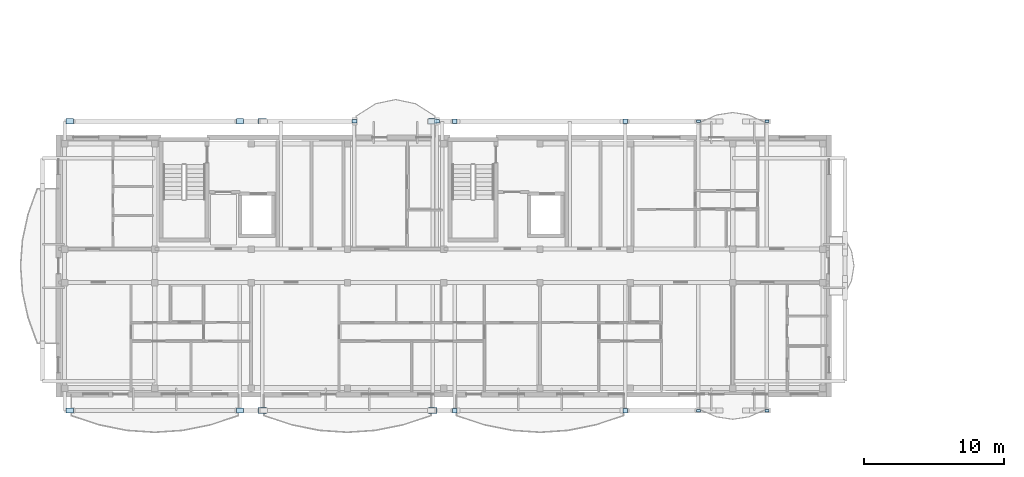
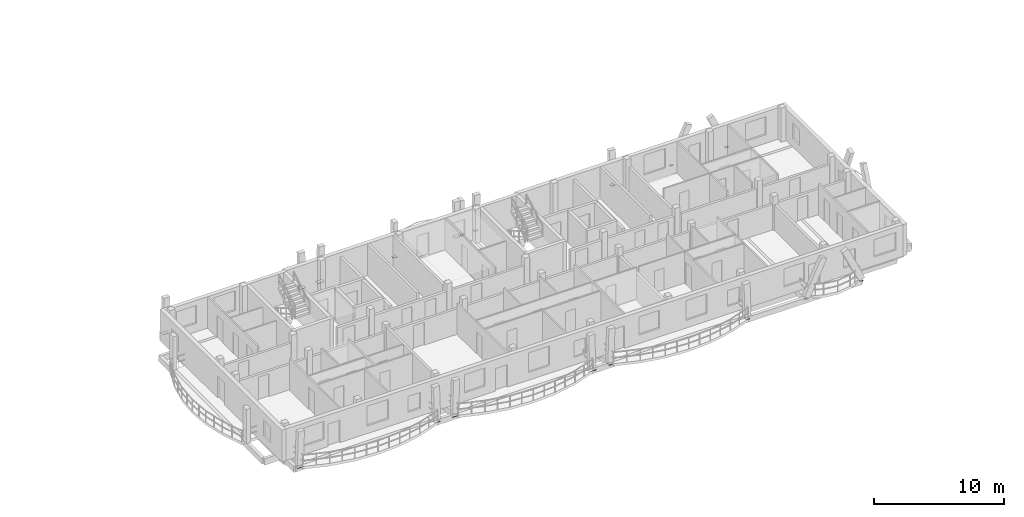
# One storey, part 9 of 41: 18 plates.
"""IFC4 building model written with IfcOpenShell, lengths in metres."""

from ifc_helpers import new_model, si_unit, direction, frame, origin, origin_2d, place, context, subcontext, project, spatial, rectangle, extrude, material, layer, layer_set, type_object, element, save


model = new_model("IFC4")

# Units and contexts
model_context = context("Model", 3, precision=1e-05, world=origin(), true_north=direction((0.0, 1.0)))
body_context = subcontext(model_context, "Body", "Model", "MODEL_VIEW")
ifc_project = project(units=[si_unit("LENGTHUNIT", "METRE"), si_unit("AREAUNIT", "SQUARE_METRE"), si_unit("VOLUMEUNIT", "CUBIC_METRE"), si_unit("PLANEANGLEUNIT", "RADIAN"), si_unit("MASSUNIT", "GRAM", prefix="KILO")], contexts=[model_context])

# Site, building, storey
site_placement = place(None, origin())
site = spatial("IfcSite", under=ifc_project, at=site_placement, CompositionType="ELEMENT")
building_placement = place(site_placement, origin())
building = spatial("IfcBuilding", under=site, at=building_placement, Name="Zavelmont Quarter", CompositionType="ELEMENT")
storey_placement = place(building_placement, frame((0.0, 0.0, 27.199951171875)))
storey = spatial("IfcBuildingStorey", under=building, at=storey_placement, Name="L08", CompositionType="ELEMENT", Elevation=27.199951171875)

# Plates
ifc_material = material(Name="Steel S355", Category="steel")
ifc_layer_1 = layer(ifc_material, 0.02001953125)
ifc_layer_set_1 = layer_set([ifc_layer_1], Name="Steel S355")
plate_type_1 = type_object("IfcPlateType", Name="NP01", PredefinedType="SHEET", material=ifc_layer_set_1)
for number, where, z_axis, x_axis, name in (
    (1, (45.847412109375, -1.162109375, -0.2099609375), (0.0, 0.0, 1.0), (1.0, 0.0, 0.0), "L08 steel connection plate NP01 at 8/A"),
    (2, (50.752685546875, -1.162109375, -0.2099609375), (0.0, 0.0, 1.0), (1.0, 0.0, 0.0), "L08 steel connection plate NP01 at 8/A"),
    (3, (45.847412109375, 19.56201171875, -0.2099609375), (0.0, 0.0, 1.0), (1.0, 0.0, 0.0), "L08 steel connection plate NP01 at 8/D"),
    (4, (50.752685546875, 19.56201171875, -0.2099609375), (0.0, 0.0, 1.0), (1.0, 0.0, 0.0), "L08 steel connection plate NP01 at 8/D"),
):
    element("IfcPlate", number, at=place(storey_placement, frame(where, z_axis=z_axis, x_axis=x_axis)), inside=storey, type_object=plate_type_1, Name=name, PredefinedType="SHEET", context=body_context, shape_type="SweptSolid", body=[
        extrude(rectangle(XDim=0.280029296875, YDim=0.179931640625, at=origin_2d()), origin(), (0.0, 0.0, 1.0), 0.02001953125),
    ])
ifc_layer_2 = layer(ifc_material, 0.02392578125)
ifc_layer_set_2 = layer_set([ifc_layer_2], Name="Steel S355")
plate_type_2 = type_object("IfcPlateType", Name="NP02", PredefinedType="SHEET", material=ifc_layer_set_2)
for number, where, z_axis, x_axis, name in (
    (5, (21.199951171875, 19.56201171875, -0.2119140625), (0.0, 0.0, 1.0), (1.0, 0.0, 0.0), "L08 steel connection plate NP02 at 4/D"),
    (6, (27.10009765625, 19.56201171875, -0.2119140625), (0.0, 0.0, 1.0), (1.0, 0.0, 0.0), "L08 steel connection plate NP02 at 5/D"),
):
    element("IfcPlate", number, at=place(storey_placement, frame(where, z_axis=z_axis, x_axis=x_axis)), inside=storey, type_object=plate_type_2, Name=name, PredefinedType="SHEET", context=body_context, shape_type="SweptSolid", body=[
        extrude(rectangle(XDim=0.360107421875, YDim=0.260009765625, at=origin_2d()), origin(), (0.0, 0.0, 1.0), 0.02392578125),
    ])
ifc_layer_3 = layer(ifc_material, 0.028076171875)
ifc_layer_set_3 = layer_set([ifc_layer_3], Name="Steel S355")
plate_type_3 = type_object("IfcPlateType", Name="NP04", PredefinedType="SHEET", material=ifc_layer_set_3)
for number, where, z_axis, x_axis, name in (
    (7, (0.800048828125, -1.162109375, -0.2138671875), (0.0, 0.0, 1.0), (1.0, 0.0, 0.0), "L08 steel connection plate NP04 at 1/A"),
    (8, (13.0, -1.162109375, -0.2138671875), (0.0, 0.0, 1.0), (1.0, 0.0, 0.0), "L08 steel connection plate NP04 at 3/A"),
    (9, (0.800048828125, 19.56201171875, -0.2138671875), (0.0, 0.0, 1.0), (1.0, 0.0, 0.0), "L08 steel connection plate NP04 at 1/D"),
    (10, (13.0, 19.56201171875, -0.2138671875), (0.0, 0.0, 1.0), (1.0, 0.0, 0.0), "L08 steel connection plate NP04 at 3/D"),
):
    element("IfcPlate", number, at=place(storey_placement, frame(where, z_axis=z_axis, x_axis=x_axis)), inside=storey, type_object=plate_type_3, Name=name, PredefinedType="SHEET", context=body_context, shape_type="SweptSolid", body=[
        extrude(rectangle(XDim=0.52001953125, YDim=0.360107421875, at=origin_2d()), origin(), (0.0, 0.0, 1.0), 0.028076171875),
    ])
ifc_layer_4 = layer(ifc_material, 0.030029296875)
ifc_layer_set_4 = layer_set([ifc_layer_4], Name="Steel S355")
plate_type_4 = type_object("IfcPlateType", Name="NP05", PredefinedType="SHEET", material=ifc_layer_set_4)
for number, where, z_axis, x_axis, name in (
    (11, (14.60009765625, -1.162109375, -0.21484375), (0.0, 0.0, 1.0), (1.0, 0.0, 0.0), "L08 steel connection plate NP05 at 3/A"),
    (12, (26.800048828125, -1.162109375, -0.21484375), (0.0, 0.0, 1.0), (1.0, 0.0, 0.0), "L08 steel connection plate NP05 at 5/A"),
    (13, (14.60009765625, 19.56201171875, -0.21484375), (0.0, 0.0, 1.0), (1.0, 0.0, 0.0), "L08 steel connection plate NP05 at 3/D"),
    (14, (26.800048828125, 19.56201171875, -0.21484375), (0.0, 0.0, 1.0), (1.0, 0.0, 0.0), "L08 steel connection plate NP05 at 5/D"),
):
    element("IfcPlate", number, at=place(storey_placement, frame(where, z_axis=z_axis, x_axis=x_axis)), inside=storey, type_object=plate_type_4, Name=name, PredefinedType="SHEET", context=body_context, shape_type="SweptSolid", body=[
        extrude(rectangle(XDim=0.60009765625, YDim=0.39990234375, at=origin_2d()), origin(), (0.0, 0.0, 1.0), 0.030029296875),
    ])
ifc_layer_5 = layer(ifc_material, 0.02197265625)
ifc_layer_set_5 = layer_set([ifc_layer_5], Name="Steel S355")
plate_type_5 = type_object("IfcPlateType", Name="NP06", PredefinedType="SHEET", material=ifc_layer_set_5)
for number, where, z_axis, x_axis, name in (
    (15, (28.39990234375, -1.162109375, -0.2109375), (0.0, 0.0, 1.0), (1.0, 0.0, 0.0), "L08 steel connection plate NP06 at 5/A"),
    (16, (40.60009765625, -1.162109375, -0.2109375), (0.0, 0.0, 1.0), (1.0, 0.0, 0.0), "L08 steel connection plate NP06 at 7/A"),
    (17, (28.39990234375, 19.56201171875, -0.2109375), (0.0, 0.0, 1.0), (1.0, 0.0, 0.0), "L08 steel connection plate NP06 at 5/D"),
    (18, (40.60009765625, 19.56201171875, -0.2109375), (0.0, 0.0, 1.0), (1.0, 0.0, 0.0), "L08 steel connection plate NP06 at 7/D"),
):
    element("IfcPlate", number, at=place(storey_placement, frame(where, z_axis=z_axis, x_axis=x_axis)), inside=storey, type_object=plate_type_5, Name=name, PredefinedType="SHEET", context=body_context, shape_type="SweptSolid", body=[
        extrude(rectangle(XDim=0.320068359375, YDim=0.320068359375, at=origin_2d()), origin(), (0.0, 0.0, 1.0), 0.02197265625),
    ])

save(model, "model.ifc")
